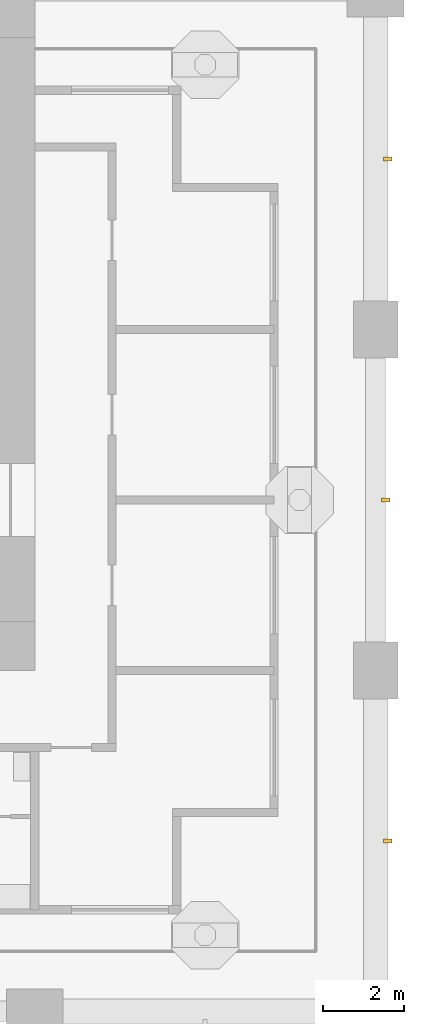
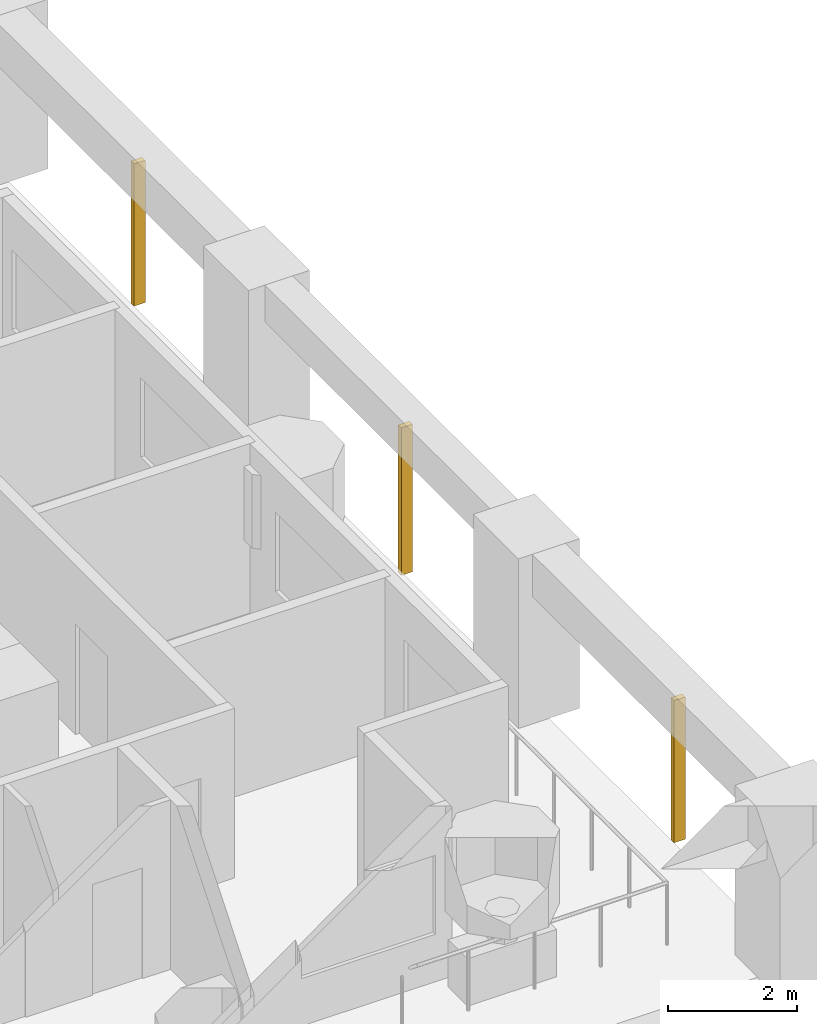
# One storey, part 17 of 20: 3 shading devices.
"""IFC4 building model written with IfcOpenShell, lengths in metres."""

from ifc_helpers import new_model, si_unit, direction, frame, origin, origin_2d, place, context, subcontext, project, spatial, rectangle, extrude, material, material_profile, profile_set, type_object, element, save


model = new_model("IFC4")

# Units and contexts
model_context = context("Model", 3, precision=1e-05, world=origin(), true_north=direction((0.0, 1.0)))
body_context = subcontext(model_context, "Body", "Model", "MODEL_VIEW")
ifc_project = project(units=[si_unit("LENGTHUNIT", "METRE"), si_unit("AREAUNIT", "SQUARE_METRE"), si_unit("VOLUMEUNIT", "CUBIC_METRE"), si_unit("PLANEANGLEUNIT", "RADIAN"), si_unit("MASSUNIT", "GRAM", prefix="KILO")], contexts=[model_context])

# Site, building, storey
site_placement = place(None, origin())
site = spatial("IfcSite", under=ifc_project, at=site_placement, CompositionType="ELEMENT")
building_placement = place(site_placement, origin())
building = spatial("IfcBuilding", under=site, at=building_placement, Name="Vermilion Gate Residences", CompositionType="ELEMENT")
storey_placement = place(building_placement, frame((0.0, 0.0, 42.699951171875)))
storey = spatial("IfcBuildingStorey", under=building, at=storey_placement, Name="L09", CompositionType="ELEMENT", Elevation=42.699951171875)

# Shading devices
ifc_material = material(Name="Extruded terracotta", Category="masonry")
ifc_material_profile = material_profile(ifc_material, rectangle(XDim=0.199951171875, YDim=0.10009765625, at=origin_2d()), Name="BAGUETTE 100 X 200")
ifc_profile_set = profile_set([ifc_material_profile], Name="Extruded terracotta")
shading_device_type = type_object("IfcShadingDeviceType", Name="TERRACOTTA BAGUETTE 100 X 200", PredefinedType="JALOUSIE", material=ifc_profile_set)
shading_device_1_placement = place(storey_placement, frame((67.5, 4.199951171875, -0.280029296875), z_axis=(0.0, 0.0, 1.0), x_axis=(-1.0, 0.0, 0.0)))
element("IfcShadingDevice", 1, at=shading_device_1_placement, inside=storey, type_object=shading_device_type, Name="BAGUETTE", PredefinedType="JALOUSIE", context=body_context, shape_type="SweptSolid", body=[
    extrude(rectangle(XDim=0.199951171875, YDim=0.10009765625, at=origin_2d()), origin(), (0.0, 0.0, 1.0), 2.7001953125),
])
shading_device_2_placement = place(storey_placement, frame((67.449951171875, 12.60009765625, -0.280029296875), z_axis=(0.0, 0.0, 1.0), x_axis=(-1.0, 0.0, 0.0)))
element("IfcShadingDevice", 2, at=shading_device_2_placement, inside=storey, type_object=shading_device_type, Name="BAGUETTE", PredefinedType="JALOUSIE", context=body_context, shape_type="SweptSolid", body=[
    extrude(rectangle(XDim=0.199951171875, YDim=0.10009765625, at=origin_2d()), origin(), (0.0, 0.0, 1.0), 2.800048828125),
])
shading_device_3_placement = place(storey_placement, frame((67.5, 21.0, -0.280029296875), z_axis=(0.0, 0.0, 1.0), x_axis=(-1.0, 0.0, 0.0)))
element("IfcShadingDevice", 3, at=shading_device_3_placement, inside=storey, type_object=shading_device_type, Name="BAGUETTE", PredefinedType="JALOUSIE", context=body_context, shape_type="SweptSolid", body=[
    extrude(rectangle(XDim=0.199951171875, YDim=0.10009765625, at=origin_2d()), origin(), (0.0, 0.0, 1.0), 2.7001953125),
])

save(model, "model.ifc")
